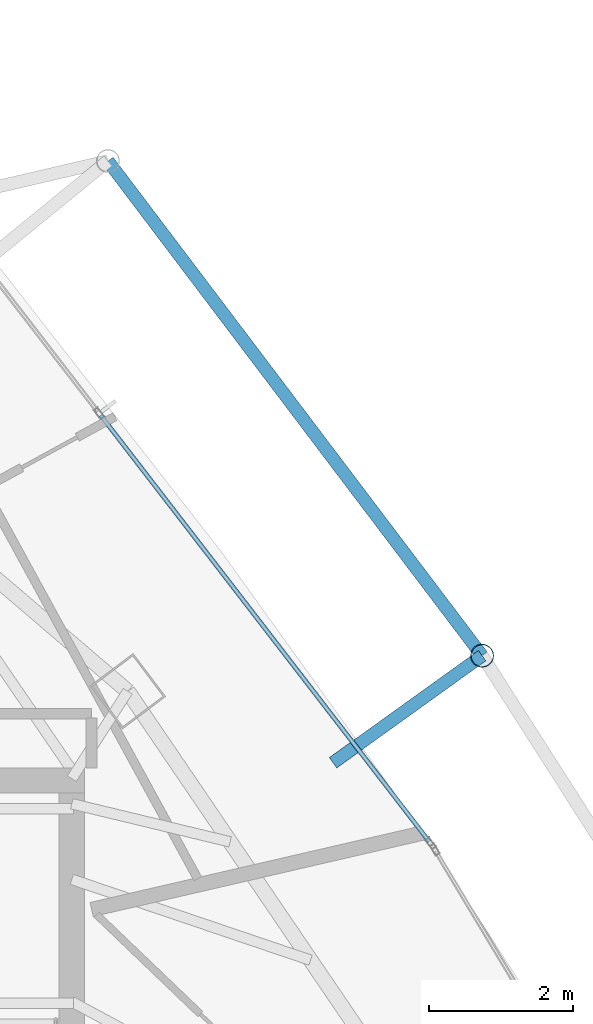
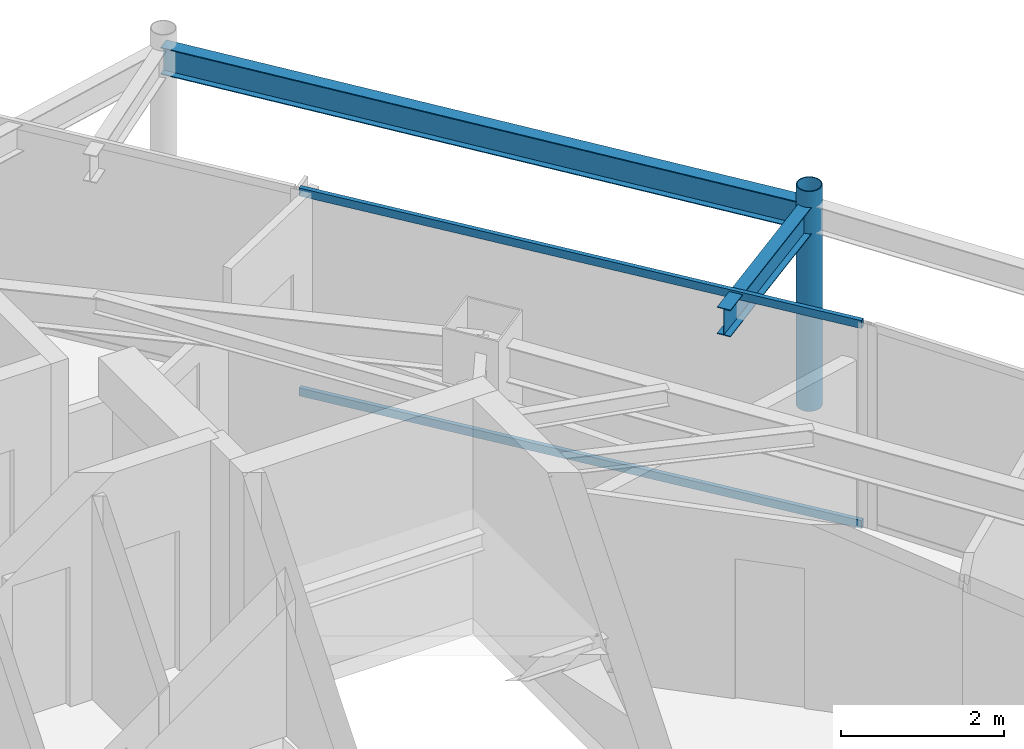
# One storey, part 25 of 32: 3 members, 2 beams, 1 element without a shape of its own.
"""IFC4 building model written with IfcOpenShell, lengths in metres."""

from ifc_helpers import new_model, si_unit, direction, frame, origin, origin_2d, place, context, subcontext, project, spatial, hollow_rectangle, hollow_circle, i_section, extrude, material, layer, layer_set, material_profile, profile_set, type_object, element, aggregate, save


model = new_model("IFC4")

# Units and contexts
model_context = context("Model", 3, precision=1e-05, world=origin(), true_north=direction((0.0, 1.0)))
body_context = subcontext(model_context, "Body", "Model", "MODEL_VIEW")
ifc_project = project(units=[si_unit("LENGTHUNIT", "METRE"), si_unit("AREAUNIT", "SQUARE_METRE"), si_unit("VOLUMEUNIT", "CUBIC_METRE"), si_unit("PLANEANGLEUNIT", "RADIAN"), si_unit("MASSUNIT", "GRAM", prefix="KILO")], contexts=[model_context])

# Site, building, storey
site_placement = place(None, origin())
site = spatial("IfcSite", under=ifc_project, at=site_placement, CompositionType="ELEMENT")
building_placement = place(site_placement, origin())
building = spatial("IfcBuilding", under=site, at=building_placement, Name="Orvanel Arch Residences", CompositionType="ELEMENT")
storey_placement = place(building_placement, frame((0.0, 0.0, 216.199951171875)))
storey = spatial("IfcBuildingStorey", under=building, at=storey_placement, Name="L61", CompositionType="ELEMENT", Elevation=216.199951171875)

# Beams
ifc_material_1 = material(Name="Structural steel AS/NZS 3679.1 Grade 300 (300 MPa)", Category="steel")
ifc_material_profile_1 = material_profile(ifc_material_1, i_section(OverallWidth=0.177978515625, OverallDepth=0.406005859375, WebThickness=0.0078125, FlangeThickness=0.0126953125, at=origin_2d()), Name="410UB59.7")
ifc_profile_set_1 = profile_set([ifc_material_profile_1], Name="Structural steel AS/NZS 3679.1 Grade 300 (300 MPa)")
beam_type = type_object("IfcBeamType", Name="OB-410UB-EXT", PredefinedType="SPANDREL", material=ifc_profile_set_1)
beam_1_placement = place(storey_placement, frame((43.2041015625, 34.1201171875, 2.85693359375), z_axis=(0.812307446417, 0.58322946813, 0.0), x_axis=(-0.58322946813, 0.812307446417, 0.0)))
element("IfcBeam", 1, at=beam_1_placement, inside=storey, type_object=beam_type, Name="L61 Outer Frame Radial Tie Beam 11", PredefinedType="SPANDREL", context=body_context, shape_type="SweptSolid", body=[
    extrude(i_section(OverallWidth=0.177978515625, OverallDepth=0.406005859375, WebThickness=0.0078125, FlangeThickness=0.0126953125, at=origin_2d()), origin(), (0.0, 0.0, 1.0), 2.54931640625),
])
beam_2_placement = place(storey_placement, frame((45.27490234375, 35.60693359375, 2.85693359375), z_axis=(-0.60325908202, 0.797545283956, 0.0), x_axis=(-0.797545283956, -0.60325908202, 0.0)))
element("IfcBeam", 2, at=beam_2_placement, inside=storey, type_object=beam_type, Name="L61 Outer Perimeter Floor Ring Beam 11", PredefinedType="SPANDREL", context=body_context, shape_type="SweptSolid", body=[
    extrude(i_section(OverallWidth=0.177978515625, OverallDepth=0.406005859375, WebThickness=0.0078125, FlangeThickness=0.0126953125, at=origin_2d()), origin(), (0.0, 0.0, 1.0), 8.616455078125),
])

# Member
ifc_material_2 = material(Name="Structural steel AS/NZS 1163 C350L0 (Grade 350)", Category="steel")
ifc_material_profile_2 = material_profile(ifc_material_2, hollow_circle(Radius=0.162109375, WallThickness=0.0126953125, at=origin_2d()), Name="CHS324x12.7")
ifc_profile_set_2 = profile_set([ifc_material_profile_2], Name="Structural steel AS/NZS 1163 C350L0 (Grade 350)")
member_type_1 = type_object("IfcMemberType", Name="ST-324CHS-EXT", PredefinedType="STRUT", material=ifc_profile_set_2)
member_1_placement = place(storey_placement, frame((45.27490234375, 35.60693359375, 0.0), z_axis=(0.0, 0.0, 1.0), x_axis=(1.0, 0.0, 0.0)))
element("IfcMember", 3, at=member_1_placement, inside=storey, type_object=member_type_1, Name="L61 Outer Perimeter Frame Post 11", PredefinedType="STRUT", context=body_context, shape_type="SweptSolid", body=[
    extrude(hollow_circle(Radius=0.162109375, WallThickness=0.0126953125, at=origin_2d()), origin(), (0.0, 0.0, 1.0), 3.300048828125),
])

# Curtain wall, members
ifc_material_3 = material(Name="Bronze-anodised aluminium AA6063-T6", Category="aluminium")
ifc_layer = layer(ifc_material_3, 0.175048828125)
ifc_layer_set = layer_set([ifc_layer], Name="Bronze-anodised aluminium AA6063-T6")
curtain_wall_type = type_object("IfcCurtainWallType", Name="CW4-HI-SYS", PredefinedType="NOTDEFINED", material=ifc_layer_set)
curtain_wall_placement = place(storey_placement, origin())
curtain_wall = element("IfcCurtainWall", 4, at=curtain_wall_placement, inside=storey, type_object=curtain_wall_type, Name="L61 CW4-HI-SYS Unitised Curtain Wall", PredefinedType="NOTDEFINED")
ifc_material_profile_3 = material_profile(ifc_material_3, hollow_rectangle(XDim=0.06005859375, YDim=0.1201171875, WallThickness=0.00341796875, at=origin_2d()), Name="ALU120x60x3.5")
ifc_profile_set_3 = profile_set([ifc_material_profile_3], Name="Bronze-anodised aluminium AA6063-T6")
member_type_2 = type_object("IfcMemberType", Name="TRN-120x60", PredefinedType="USERDEFINED", material=ifc_profile_set_3)
member_2_placement = place(storey_placement, frame((44.540283203125, 33.025390625, 0.030029296875), z_axis=(-0.610543707939, 0.791982563379, 0.0), x_axis=(-0.791982563379, -0.610543707939, 0.0)))
member_2 = element("IfcMember", 5, at=member_2_placement, type_object=member_type_2, Name="CW-S4 transom 1.1", ObjectType="TRANSOM", PredefinedType="USERDEFINED", context=body_context, shape_type="SweptSolid", body=[
    extrude(hollow_rectangle(XDim=0.06005859375, YDim=0.1201171875, WallThickness=0.00341796875, at=origin_2d()), origin(), (0.0, 0.0, 1.0), 7.47607421875),
])
member_3_placement = place(storey_placement, frame((44.540283203125, 33.025390625, 3.030029296875), z_axis=(-0.610543707939, 0.791982563379, 0.0), x_axis=(-0.791982563379, -0.610543707939, 0.0)))
member_3 = element("IfcMember", 6, at=member_3_placement, type_object=member_type_2, Name="CW-S4 transom 1.2", ObjectType="TRANSOM", PredefinedType="USERDEFINED", context=body_context, shape_type="SweptSolid", body=[
    extrude(hollow_rectangle(XDim=0.06005859375, YDim=0.1201171875, WallThickness=0.00341796875, at=origin_2d()), origin(), (0.0, 0.0, 1.0), 7.47607421875),
])
aggregate(curtain_wall, [member_2, member_3])

save(model, "model.ifc")
